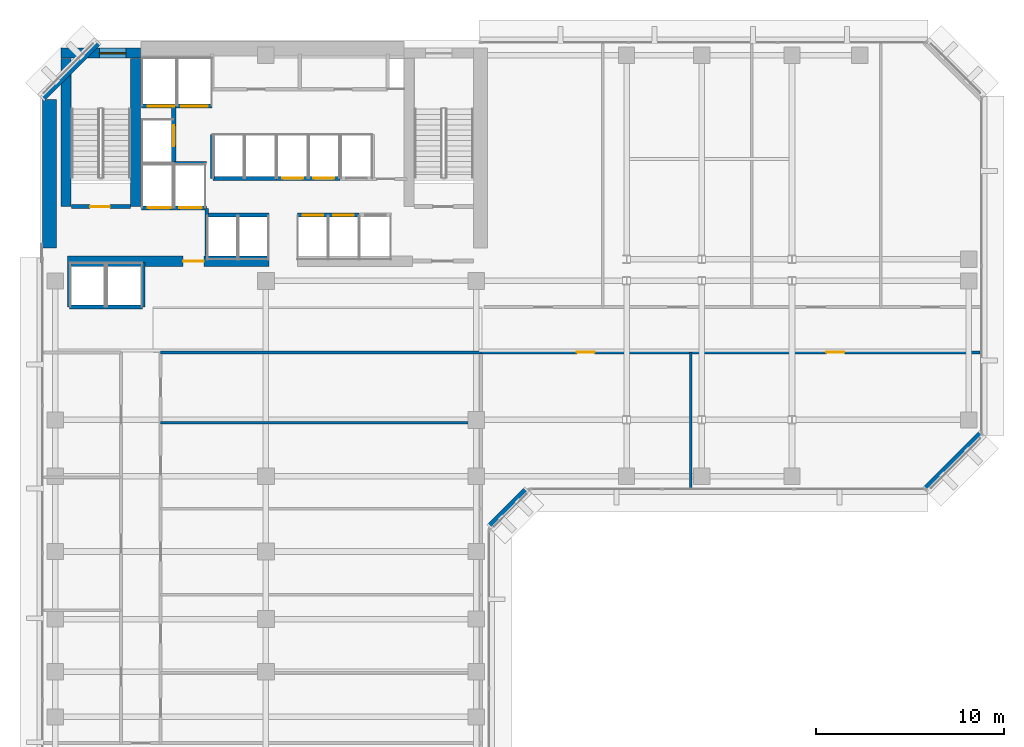
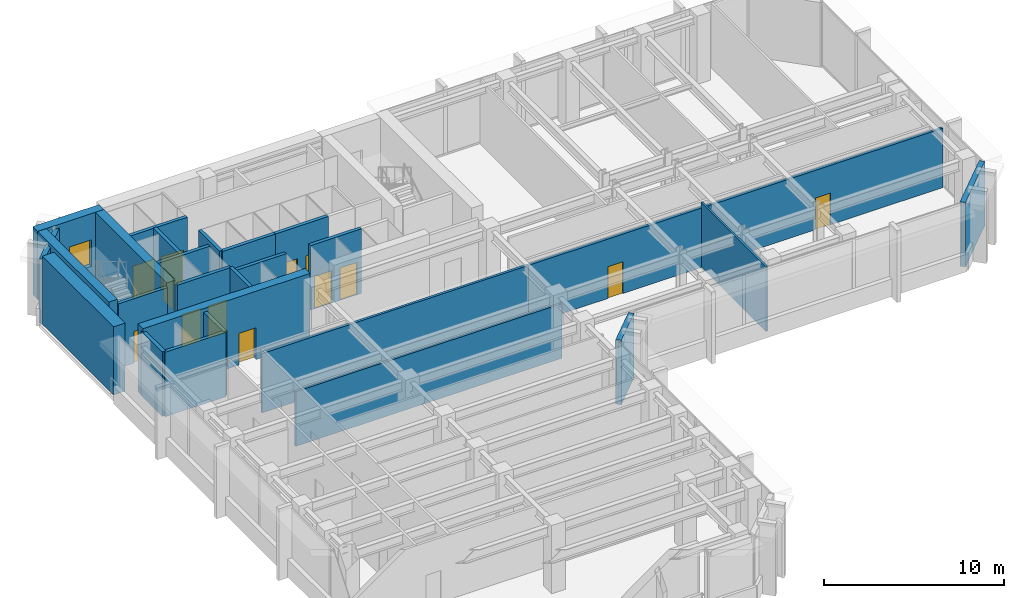
# One storey, part 7 of 13: 26 walls, 13 doors, 1 window, 14 openings.
"""IFC4 building model written with IfcOpenShell, lengths in metres."""

from ifc_helpers import new_model, si_unit, direction, frame, frame_2d, origin, place, context, subcontext, project, spatial, rectangle, extrude, material, layer, layer_set, type_object, element, fill, save


model = new_model("IFC4")

# Units and contexts
model_context = context("Model", 3, precision=1e-05, world=origin(), true_north=direction((0.0, 1.0)))
body_context = subcontext(model_context, "Body", "Model", "MODEL_VIEW")
ifc_project = project(units=[si_unit("LENGTHUNIT", "METRE"), si_unit("AREAUNIT", "SQUARE_METRE"), si_unit("VOLUMEUNIT", "CUBIC_METRE"), si_unit("PLANEANGLEUNIT", "RADIAN"), si_unit("MASSUNIT", "GRAM", prefix="KILO")], contexts=[model_context])

# Site, building, storey
site_placement = place(None, origin())
site = spatial("IfcSite", under=ifc_project, at=site_placement, CompositionType="ELEMENT")
building_placement = place(site_placement, origin())
building = spatial("IfcBuilding", under=site, at=building_placement, Name="Kefirva Bronze Tower", CompositionType="ELEMENT")
storey_placement = place(building_placement, frame((0.0, 0.0, 130.35009765625)))
storey = spatial("IfcBuildingStorey", under=building, at=storey_placement, Name="L31", CompositionType="ELEMENT", Elevation=130.35009765625)

# Walls
ifc_material_1 = material(Name="Gypsum acoustic partition")
ifc_layer_1 = layer(ifc_material_1, 0.1298828125, Name="Gypsum acoustic partition")
ifc_layer_set_1 = layer_set([ifc_layer_1], Name="Gypsum acoustic partition")
wall_type_1 = type_object("IfcWallType", Name="Acoustic Office Partition 130mm", PredefinedType="PARTITIONING", material=ifc_layer_set_1)
wall_1_placement = place(storey_placement, frame((6.39990234375, 25.656005859375, 0.0), z_axis=(0.0, 0.0, 1.0), x_axis=(1.0, 0.0, 0.0)))
element("IfcWall", 1, at=wall_1_placement, inside=storey, type_object=wall_type_1, Name="L31 Partition W-L31-SED4", PredefinedType="PARTITIONING", context=body_context, shape_type="SweptSolid", body=[
    extrude(rectangle(XDim=17.050048828125, YDim=0.1298828125, at=frame_2d((8.52490234375, 0.0))), origin(), (0.0, 0.0, 1.0), 3.704833984375),
])
wall_2_placement = place(storey_placement, frame((34.605224609375, 22.18994140625, 0.0), z_axis=(0.0, 0.0, 1.0), x_axis=(0.0, 1.0, 0.0)))
element("IfcWall", 2, at=wall_2_placement, inside=storey, type_object=wall_type_1, Name="L31 Partition W-L31-ESD1", PredefinedType="PARTITIONING", context=body_context, shape_type="SweptSolid", body=[
    extrude(rectangle(XDim=7.2099609375, YDim=0.1298828125, at=frame_2d((3.60498046875, 0.0))), origin(), (0.0, 0.0, 1.0), 4.369873046875),
])

# Wall, opening, door
ifc_material_2 = material(Name="Gypsum fireboard shaftwall")
ifc_layer_2 = layer(ifc_material_2, 0.219970703125, Name="Gypsum fireboard shaftwall")
ifc_layer_set_2 = layer_set([ifc_layer_2], Name="Gypsum fireboard shaftwall")
wall_type_2 = type_object("IfcWallType", Name="Fire-Rated Shaft Enclosure Wall 220mm", PredefinedType="PARTITIONING", material=ifc_layer_set_2)
wall_3_placement = place(storey_placement, frame((1.64990234375, 37.14990234375, 0.0), z_axis=(0.0, 0.0, 1.0), x_axis=(1.0, 0.0, 0.0)))
wall_3 = element("IfcWall", 3, at=wall_3_placement, inside=storey, type_object=wall_type_2, Name="L31 Partition W-L31-ST1S", PredefinedType="PARTITIONING", context=body_context, shape_type="SweptSolid", body=[
    extrude(rectangle(XDim=3.150146484375, YDim=0.219970703125, at=frame_2d((1.5751953125, 0.0))), origin(), (0.0, 0.0, 1.0), 4.369873046875),
])
opening_1_placement = place(wall_3_placement, frame((2.050048828125, 0.0, 0.0), z_axis=(0.0, 0.0, 1.0), x_axis=(-1.0, 0.0, 0.0)))
opening_1 = element("IfcOpeningElement", 4, at=opening_1_placement, cuts=wall_3, Name="Opening L31-D001", PredefinedType="OPENING", context=body_context, shape_type="SweptSolid", body=[
    extrude(rectangle(XDim=1.050048828125, YDim=2.14990234375, at=frame_2d((0.52490234375, 1.074951171875))), frame((0.0, 0.1201171875, 0.0), z_axis=(0.0, -1.0, 0.0), x_axis=(1.0, 0.0, 0.0)), (0.0, 0.0, 1.0), 0.239990234375),
])
ifc_material_3 = material(Name="Painted galvanized steel", Category="steel")
door_type_1 = type_object("IfcDoorType", Name="Fire Stair Enclosure Door 1050x2150 FD90S", OperationType="NOTDEFINED", PredefinedType="DOOR", material=ifc_material_3)
door_1_placement = place(opening_1_placement, origin())
door_1 = element("IfcDoor", 5, at=door_1_placement, inside=storey, type_object=door_type_1, Name="Door L31-D001", OperationType="SINGLE_SWING_LEFT", OverallHeight=2.14990234375, OverallWidth=1.050048828125, PredefinedType="DOOR", context=body_context, shape_type="SweptSolid", body=[
    extrude(rectangle(XDim=1.050048828125, YDim=2.14990234375, at=frame_2d((0.52490234375, 1.074951171875))), frame((0.0, 0.02490234375, 0.0), z_axis=(0.0, -1.0, 0.0), x_axis=(1.0, 0.0, 0.0)), (0.0, 0.0, 1.0), 0.050048828125),
])
fill(opening_1, door_1)

# Wall, openings, doors
wall_4_placement = place(storey_placement, frame((5.3798828125, 37.080078125, 0.0), z_axis=(0.0, 0.0, 1.0), x_axis=(1.0, 0.0, 0.0)))
wall_4 = element("IfcWall", 6, at=wall_4_placement, inside=storey, type_object=wall_type_2, Name="L31 Partition W-L31-FFS", PredefinedType="PARTITIONING", context=body_context, shape_type="SweptSolid", body=[
    extrude(rectangle(XDim=3.460205078125, YDim=0.219970703125, at=frame_2d((1.72998046875, 0.0))), origin(), (0.0, 0.0, 1.0), 4.369873046875),
])
opening_2_placement = place(wall_4_placement, frame((1.550048828125, 0.0, 0.0), z_axis=(0.0, 0.0, 1.0), x_axis=(-1.0, 0.0, 0.0)))
opening_2 = element("IfcOpeningElement", 7, at=opening_2_placement, cuts=wall_4, Name="Opening L31-LD-FF1", PredefinedType="OPENING", context=body_context, shape_type="SweptSolid", body=[
    extrude(rectangle(XDim=1.199951171875, YDim=2.199951171875, at=frame_2d((0.60009765625, 1.10009765625))), frame((0.0, 0.1201171875, 0.0), z_axis=(0.0, -1.0, 0.0), x_axis=(1.0, 0.0, 0.0)), (0.0, 0.0, 1.0), 0.239990234375),
])
opening_3_placement = place(wall_4_placement, frame((3.219970703125, 0.0, 0.0), z_axis=(0.0, 0.0, 1.0), x_axis=(-1.0, 0.0, 0.0)))
opening_3 = element("IfcOpeningElement", 8, at=opening_3_placement, cuts=wall_4, Name="Opening L31-LD-FF2", PredefinedType="OPENING", context=body_context, shape_type="SweptSolid", body=[
    extrude(rectangle(XDim=1.199951171875, YDim=2.199951171875, at=frame_2d((0.60009765625, 1.10009765625))), frame((0.0, 0.1201171875, 0.0), z_axis=(0.0, -1.0, 0.0), x_axis=(1.0, 0.0, 0.0)), (0.0, 0.0, 1.0), 0.239990234375),
])
ifc_material_4 = material(Name="Stainless steel 316", Category="steel")
door_type_2 = type_object("IfcDoorType", Name="Firefighting Lift Sliding Door 1200x2200", OperationType="SLIDING_TO_RIGHT", PredefinedType="DOOR", material=ifc_material_4)
door_2_placement = place(opening_2_placement, origin())
door_2 = element("IfcDoor", 9, at=door_2_placement, inside=storey, type_object=door_type_2, Name="Door L31-LD-FF1", OperationType="SLIDING_TO_RIGHT", OverallHeight=2.199951171875, OverallWidth=1.199951171875, PredefinedType="DOOR", context=body_context, shape_type="SweptSolid", body=[
    extrude(rectangle(XDim=1.199951171875, YDim=2.199951171875, at=frame_2d((0.60009765625, 1.10009765625))), frame((0.0, 0.02490234375, 0.0), z_axis=(0.0, -1.0, 0.0), x_axis=(1.0, 0.0, 0.0)), (0.0, 0.0, 1.0), 0.050048828125),
])
fill(opening_2, door_2)
door_3_placement = place(opening_3_placement, origin())
door_3 = element("IfcDoor", 10, at=door_3_placement, inside=storey, type_object=door_type_2, Name="Door L31-LD-FF2", OperationType="SLIDING_TO_RIGHT", OverallHeight=2.199951171875, OverallWidth=1.199951171875, PredefinedType="DOOR", context=body_context, shape_type="SweptSolid", body=[
    extrude(rectangle(XDim=1.199951171875, YDim=2.199951171875, at=frame_2d((0.60009765625, 1.10009765625))), frame((0.0, 0.02490234375, 0.0), z_axis=(0.0, -1.0, 0.0), x_axis=(1.0, 0.0, 0.0)), (0.0, 0.0, 1.0), 0.050048828125),
])
fill(opening_3, door_3)

# Wall
wall_5_placement = place(storey_placement, frame((5.3798828125, 39.449951171875, 0.0), z_axis=(0.0, 0.0, 1.0), x_axis=(1.0, 0.0, 0.0)))
element("IfcWall", 11, at=wall_5_placement, inside=storey, type_object=wall_type_2, Name="L31 Partition W-L31-FFN", PredefinedType="PARTITIONING", context=body_context, shape_type="SweptSolid", body=[
    extrude(rectangle(XDim=3.460205078125, YDim=0.219970703125, at=frame_2d((1.72998046875, 0.0))), origin(), (0.0, 0.0, 1.0), 4.369873046875),
])

# Wall, openings, doors
wall_6_placement = place(storey_placement, frame((5.3798828125, 42.5, 0.0), z_axis=(0.0, 0.0, 1.0), x_axis=(1.0, 0.0, 0.0)))
wall_6 = element("IfcWall", 12, at=wall_6_placement, inside=storey, type_object=wall_type_2, Name="L31 Partition W-L31-SVS", PredefinedType="PARTITIONING", context=body_context, shape_type="SweptSolid", body=[
    extrude(rectangle(XDim=3.77001953125, YDim=0.219970703125, at=frame_2d((1.885009765625, 0.0))), origin(), (0.0, 0.0, 1.0), 4.369873046875),
])
opening_4_placement = place(wall_6_placement, frame((1.75, 0.0, 0.0), z_axis=(0.0, 0.0, 1.0), x_axis=(-1.0, 0.0, 0.0)))
opening_4 = element("IfcOpeningElement", 13, at=opening_4_placement, cuts=wall_6, Name="Opening L31-LD-SV1", PredefinedType="OPENING", context=body_context, shape_type="SweptSolid", body=[
    extrude(rectangle(XDim=1.39990234375, YDim=2.199951171875, at=frame_2d((0.699951171875, 1.10009765625))), frame((0.0, 0.1201171875, 0.0), z_axis=(0.0, -1.0, 0.0), x_axis=(1.0, 0.0, 0.0)), (0.0, 0.0, 1.0), 0.239990234375),
])
opening_5_placement = place(wall_6_placement, frame((3.52978515625, 0.0, 0.0), z_axis=(0.0, 0.0, 1.0), x_axis=(-1.0, 0.0, 0.0)))
opening_5 = element("IfcOpeningElement", 14, at=opening_5_placement, cuts=wall_6, Name="Opening L31-LD-SV2", PredefinedType="OPENING", context=body_context, shape_type="SweptSolid", body=[
    extrude(rectangle(XDim=1.39990234375, YDim=2.199951171875, at=frame_2d((0.699951171875, 1.10009765625))), frame((0.0, 0.1201171875, 0.0), z_axis=(0.0, -1.0, 0.0), x_axis=(1.0, 0.0, 0.0)), (0.0, 0.0, 1.0), 0.239990234375),
])
door_type_3 = type_object("IfcDoorType", Name="Goods Lift Bi-Parting Sliding Door 1400x2200", OperationType="SLIDING_TO_LEFT", PredefinedType="DOOR", material=ifc_material_4)
door_4_placement = place(opening_4_placement, origin())
door_4 = element("IfcDoor", 15, at=door_4_placement, inside=storey, type_object=door_type_3, Name="Door L31-LD-SV1", OperationType="SLIDING_TO_LEFT", OverallHeight=2.199951171875, OverallWidth=1.39990234375, PredefinedType="DOOR", context=body_context, shape_type="SweptSolid", body=[
    extrude(rectangle(XDim=1.39990234375, YDim=2.199951171875, at=frame_2d((0.699951171875, 1.10009765625))), frame((0.0, 0.02490234375, 0.0), z_axis=(0.0, -1.0, 0.0), x_axis=(1.0, 0.0, 0.0)), (0.0, 0.0, 1.0), 0.050048828125),
])
fill(opening_4, door_4)
door_5_placement = place(opening_5_placement, origin())
door_5 = element("IfcDoor", 16, at=door_5_placement, inside=storey, type_object=door_type_3, Name="Door L31-LD-SV2", OperationType="SLIDING_TO_LEFT", OverallHeight=2.199951171875, OverallWidth=1.39990234375, PredefinedType="DOOR", context=body_context, shape_type="SweptSolid", body=[
    extrude(rectangle(XDim=1.39990234375, YDim=2.199951171875, at=frame_2d((0.699951171875, 1.10009765625))), frame((0.0, 0.02490234375, 0.0), z_axis=(0.0, -1.0, 0.0), x_axis=(1.0, 0.0, 0.0)), (0.0, 0.0, 1.0), 0.050048828125),
])
fill(opening_5, door_5)

# Wall, opening, door
wall_7_placement = place(storey_placement, frame((7.10009765625, 39.52001953125, 0.0), z_axis=(0.0, 0.0, 1.0), x_axis=(0.0, 1.0, 0.0)))
wall_7 = element("IfcWall", 17, at=wall_7_placement, inside=storey, type_object=wall_type_2, Name="L31 Partition W-L31-HP3E", PredefinedType="PARTITIONING", context=body_context, shape_type="SweptSolid", body=[
    extrude(rectangle(XDim=2.929931640625, YDim=0.219970703125, at=frame_2d((1.46484375, 0.0))), origin(), (0.0, 0.0, 1.0), 4.369873046875),
])
opening_6_placement = place(wall_7_placement, frame((0.85009765625, 0.0, 0.0)))
opening_6 = element("IfcOpeningElement", 18, at=opening_6_placement, cuts=wall_7, Name="Opening L31-LD-HP3", PredefinedType="OPENING", context=body_context, shape_type="SweptSolid", body=[
    extrude(rectangle(XDim=1.10009765625, YDim=2.199951171875, at=frame_2d((0.550048828125, 1.10009765625))), frame((0.0, 0.1201171875, 0.0), z_axis=(0.0, -1.0, 0.0), x_axis=(1.0, 0.0, 0.0)), (0.0, 0.0, 1.0), 0.239990234375),
])
door_type_4 = type_object("IfcDoorType", Name="Passenger Lift Sliding Landing Door 1100x2200", OperationType="SLIDING_TO_LEFT", PredefinedType="DOOR", material=ifc_material_4)
door_6_placement = place(opening_6_placement, origin())
door_6 = element("IfcDoor", 19, at=door_6_placement, inside=storey, type_object=door_type_4, Name="Door L31-LD-HP3", OperationType="SLIDING_TO_LEFT", OverallHeight=2.199951171875, OverallWidth=1.10009765625, PredefinedType="DOOR", context=body_context, shape_type="SweptSolid", body=[
    extrude(rectangle(XDim=1.10009765625, YDim=2.199951171875, at=frame_2d((0.550048828125, 1.10009765625))), frame((0.0, 0.02490234375, 0.0), z_axis=(0.0, -1.0, 0.0), x_axis=(1.0, 0.0, 0.0)), (0.0, 0.0, 1.0), 0.050048828125),
])
fill(opening_6, door_6)

# Walls
wall_8_placement = place(storey_placement, frame((1.550048828125, 31.800048828125, 0.0), z_axis=(0.0, 0.0, 1.0), x_axis=(1.0, 0.0, 0.0)))
element("IfcWall", 20, at=wall_8_placement, inside=storey, type_object=wall_type_2, Name="L31 Partition W-L31-OBS", PredefinedType="PARTITIONING", context=body_context, shape_type="SweptSolid", body=[
    extrude(rectangle(XDim=3.89990234375, YDim=0.219970703125, at=frame_2d((1.949951171875, 0.0))), origin(), (0.0, 0.0, 1.0), 4.369873046875),
])
for number, where, z_axis, x_axis, name in (
    (21, (1.550048828125, 31.800048828125, 0.0), (0.0, 0.0, 1.0), (0.0, 1.0, 0.0), "L31 Partition W-L31-OBW"),
    (22, (5.449951171875, 31.800048828125, 0.0), (0.0, 0.0, 1.0), (0.0, 1.0, 0.0), "L31 Partition W-L31-OBE"),
):
    element("IfcWall", number, at=place(storey_placement, frame(where, z_axis=z_axis, x_axis=x_axis)), inside=storey, type_object=wall_type_2, Name=name, PredefinedType="PARTITIONING", context=body_context, shape_type="SweptSolid", body=[
        extrude(rectangle(XDim=2.3798828125, YDim=0.219970703125, at=frame_2d((1.18994140625, 0.0))), origin(), (0.0, 0.0, 1.0), 4.369873046875),
    ])
wall_9_placement = place(storey_placement, frame((9.159912109375, 38.64990234375, 0.0), z_axis=(0.0, 0.0, 1.0), x_axis=(0.0, 1.0, 0.0)))
element("IfcWall", 23, at=wall_9_placement, inside=storey, type_object=wall_type_2, Name="L31 Partition W-L31-LP3W", PredefinedType="PARTITIONING", context=body_context, shape_type="SweptSolid", body=[
    extrude(rectangle(XDim=2.35009765625, YDim=0.199951171875, at=frame_2d((1.175048828125, 0.0))), origin(), (0.0, 0.0, 1.0), 4.369873046875),
])
wall_10_placement = place(storey_placement, frame((8.89990234375, 36.699951171875, 0.0), z_axis=(0.0, 0.0, 1.0), x_axis=(1.0, 0.0, 0.0)))
element("IfcWall", 24, at=wall_10_placement, inside=storey, type_object=wall_type_2, Name="L31 Partition W-L31-LPS", PredefinedType="PARTITIONING", context=body_context, shape_type="SweptSolid", body=[
    extrude(rectangle(XDim=3.260009765625, YDim=0.219970703125, at=frame_2d((1.6298828125, 0.0))), origin(), (0.0, 0.0, 1.0), 4.369873046875),
])
wall_11_placement = place(storey_placement, frame((9.179931640625, 38.64990234375, 0.0), z_axis=(0.0, 0.0, 1.0), x_axis=(1.0, 0.0, 0.0)))
element("IfcWall", 25, at=wall_11_placement, inside=storey, type_object=wall_type_2, Name="L31 Partition W-L31-LPN", PredefinedType="PARTITIONING", context=body_context, shape_type="SweptSolid", body=[
    extrude(rectangle(XDim=3.380126953125, YDim=0.219970703125, at=frame_2d((1.68994140625, 0.0))), origin(), (0.0, 0.0, 1.0), 4.369873046875),
])

# Wall, openings, doors
wall_12_placement = place(storey_placement, frame((13.679931640625, 36.699951171875, 0.0), z_axis=(0.0, 0.0, 1.0), x_axis=(1.0, 0.0, 0.0)))
wall_12 = element("IfcWall", 26, at=wall_12_placement, inside=storey, type_object=wall_type_2, Name="L31 Partition W-L31-MPS", PredefinedType="PARTITIONING", context=body_context, shape_type="SweptSolid", body=[
    extrude(rectangle(XDim=3.280029296875, YDim=0.219970703125, at=frame_2d((1.64013671875, 0.0))), origin(), (0.0, 0.0, 1.0), 4.369873046875),
])
opening_7_placement = place(wall_12_placement, frame((0.280029296875, 0.0, 0.0)))
opening_7 = element("IfcOpeningElement", 27, at=opening_7_placement, cuts=wall_12, Name="Opening L31-LD-MP1", PredefinedType="OPENING", context=body_context, shape_type="SweptSolid", body=[
    extrude(rectangle(XDim=1.10009765625, YDim=2.199951171875, at=frame_2d((0.550048828125, 1.10009765625))), frame((0.0, 0.1201171875, 0.0), z_axis=(0.0, -1.0, 0.0), x_axis=(1.0, 0.0, 0.0)), (0.0, 0.0, 1.0), 0.239990234375),
])
opening_8_placement = place(wall_12_placement, frame((1.89990234375, 0.0, 0.0)))
opening_8 = element("IfcOpeningElement", 28, at=opening_8_placement, cuts=wall_12, Name="Opening L31-LD-MP2", PredefinedType="OPENING", context=body_context, shape_type="SweptSolid", body=[
    extrude(rectangle(XDim=1.10009765625, YDim=2.199951171875, at=frame_2d((0.550048828125, 1.10009765625))), frame((0.0, 0.1201171875, 0.0), z_axis=(0.0, -1.0, 0.0), x_axis=(1.0, 0.0, 0.0)), (0.0, 0.0, 1.0), 0.239990234375),
])
door_7_placement = place(opening_7_placement, origin())
door_7 = element("IfcDoor", 29, at=door_7_placement, inside=storey, type_object=door_type_4, Name="Door L31-LD-MP1", OperationType="SLIDING_TO_RIGHT", OverallHeight=2.199951171875, OverallWidth=1.10009765625, PredefinedType="DOOR", context=body_context, shape_type="SweptSolid", body=[
    extrude(rectangle(XDim=1.10009765625, YDim=2.199951171875, at=frame_2d((0.550048828125, 1.10009765625))), frame((0.0, 0.02490234375, 0.0), z_axis=(0.0, -1.0, 0.0), x_axis=(1.0, 0.0, 0.0)), (0.0, 0.0, 1.0), 0.050048828125),
])
fill(opening_7, door_7)
door_8_placement = place(opening_8_placement, origin())
door_8 = element("IfcDoor", 30, at=door_8_placement, inside=storey, type_object=door_type_4, Name="Door L31-LD-MP2", OperationType="SLIDING_TO_RIGHT", OverallHeight=2.199951171875, OverallWidth=1.10009765625, PredefinedType="DOOR", context=body_context, shape_type="SweptSolid", body=[
    extrude(rectangle(XDim=1.10009765625, YDim=2.199951171875, at=frame_2d((0.550048828125, 1.10009765625))), frame((0.0, 0.02490234375, 0.0), z_axis=(0.0, -1.0, 0.0), x_axis=(1.0, 0.0, 0.0)), (0.0, 0.0, 1.0), 0.050048828125),
])
fill(opening_8, door_8)

wall_13_placement = place(storey_placement, frame((12.580078125, 38.64990234375, 0.0), z_axis=(0.0, 0.0, 1.0), x_axis=(1.0, 0.0, 0.0)))
wall_13 = element("IfcWall", 31, at=wall_13_placement, inside=storey, type_object=wall_type_2, Name="L31 Partition W-L31-MPN", PredefinedType="PARTITIONING", context=body_context, shape_type="SweptSolid", body=[
    extrude(rectangle(XDim=3.3798828125, YDim=0.219970703125, at=frame_2d((1.68994140625, 0.0))), origin(), (0.0, 0.0, 1.0), 4.369873046875),
])
opening_9_placement = place(wall_13_placement, frame((0.300048828125, 0.0, 0.0)))
opening_9 = element("IfcOpeningElement", 32, at=opening_9_placement, cuts=wall_13, Name="Opening L31-LD-MP3", PredefinedType="OPENING", context=body_context, shape_type="SweptSolid", body=[
    extrude(rectangle(XDim=1.10009765625, YDim=2.199951171875, at=frame_2d((0.550048828125, 1.10009765625))), frame((0.0, 0.1201171875, 0.0), z_axis=(0.0, -1.0, 0.0), x_axis=(1.0, 0.0, 0.0)), (0.0, 0.0, 1.0), 0.239990234375),
])
opening_10_placement = place(wall_13_placement, frame((1.949951171875, 0.0, 0.0)))
opening_10 = element("IfcOpeningElement", 33, at=opening_10_placement, cuts=wall_13, Name="Opening L31-LD-MP4", PredefinedType="OPENING", context=body_context, shape_type="SweptSolid", body=[
    extrude(rectangle(XDim=1.10009765625, YDim=2.199951171875, at=frame_2d((0.550048828125, 1.10009765625))), frame((0.0, 0.1201171875, 0.0), z_axis=(0.0, -1.0, 0.0), x_axis=(1.0, 0.0, 0.0)), (0.0, 0.0, 1.0), 0.239990234375),
])
door_9_placement = place(opening_9_placement, origin())
door_9 = element("IfcDoor", 34, at=door_9_placement, inside=storey, type_object=door_type_4, Name="Door L31-LD-MP3", OperationType="SLIDING_TO_RIGHT", OverallHeight=2.199951171875, OverallWidth=1.10009765625, PredefinedType="DOOR", context=body_context, shape_type="SweptSolid", body=[
    extrude(rectangle(XDim=1.10009765625, YDim=2.199951171875, at=frame_2d((0.550048828125, 1.10009765625))), frame((0.0, 0.02490234375, 0.0), z_axis=(0.0, -1.0, 0.0), x_axis=(1.0, 0.0, 0.0)), (0.0, 0.0, 1.0), 0.050048828125),
])
fill(opening_9, door_9)
door_10_placement = place(opening_10_placement, origin())
door_10 = element("IfcDoor", 35, at=door_10_placement, inside=storey, type_object=door_type_4, Name="Door L31-LD-MP4", OperationType="SLIDING_TO_RIGHT", OverallHeight=2.199951171875, OverallWidth=1.10009765625, PredefinedType="DOOR", context=body_context, shape_type="SweptSolid", body=[
    extrude(rectangle(XDim=1.10009765625, YDim=2.199951171875, at=frame_2d((0.550048828125, 1.10009765625))), frame((0.0, 0.02490234375, 0.0), z_axis=(0.0, -1.0, 0.0), x_axis=(1.0, 0.0, 0.0)), (0.0, 0.0, 1.0), 0.050048828125),
])
fill(opening_10, door_10)

# Walls
ifc_material_5 = material(Name="Gypsum fireboard barrier")
ifc_layer_3 = layer(ifc_material_5, 0.199951171875, Name="Gypsum fireboard barrier")
ifc_layer_set_3 = layer_set([ifc_layer_3], Name="Gypsum fireboard barrier")
wall_type_3 = type_object("IfcWallType", Name="Firefighting Lobby Barrier Wall 200mm", PredefinedType="PARTITIONING", material=ifc_layer_set_3)
wall_14_placement = place(storey_placement, frame((8.860107421875, 34.550048828125, 0.0), z_axis=(0.0, 0.0, 1.0), x_axis=(0.0, 1.0, 0.0)))
element("IfcWall", 36, at=wall_14_placement, inside=storey, type_object=wall_type_3, Name="L31 Partition W-L31-FFLE", PredefinedType="PARTITIONING", context=body_context, shape_type="SweptSolid", body=[
    extrude(rectangle(XDim=2.5, YDim=0.199951171875, at=frame_2d((1.25, 0.0))), origin(), (0.0, 0.0, 1.0), 4.369873046875),
])
ifc_material_6 = material(Name="Precast concrete C40/50", Category="concrete")
ifc_layer_4 = layer(ifc_material_6, 0.320068359375, Name="Precast concrete C40/50")
ifc_layer_set_4 = layer_set([ifc_layer_4], Name="Precast concrete C40/50")
wall_type_4 = type_object("IfcWallType", Name="Precast Insulated Exterior Wall 320mm", PredefinedType="SOLIDWALL", material=ifc_layer_set_4)
wall_15_placement = place(storey_placement, frame((23.92578125, 20.152099609375, 0.0), z_axis=(0.0, 0.0, 1.0), x_axis=(0.707106781187, 0.707106781187, 0.0)))
element("IfcWall", 37, at=wall_15_placement, inside=storey, type_object=wall_type_4, Name="L31 Exterior Facade Wall 5", PredefinedType="SOLIDWALL", context=body_context, shape_type="SweptSolid", body=[
    extrude(rectangle(XDim=2.71826171875, YDim=0.320068359375, at=frame_2d((1.359130859375, 0.0))), origin(), (0.0, 0.0, 1.0), 4.369873046875),
])
for number, where, z_axis, x_axis, name in (
    (38, (47.125732421875, 22.152099609375, 0.0), (0.0, 0.0, 1.0), (0.707136318428, 0.707077242712, 0.0), "L31 Exterior Facade Wall 6"),
    (39, (3.07421875, 45.847900390625, 0.0), (0.0, 0.0, 1.0), (-0.707106781187, -0.707106781187, 0.0), "L31 Exterior Facade Wall 8"),
):
    element("IfcWall", number, at=place(storey_placement, frame(where, z_axis=z_axis, x_axis=x_axis)), inside=storey, type_object=wall_type_4, Name=name, PredefinedType="SOLIDWALL", context=body_context, shape_type="SweptSolid", body=[
        extrude(rectangle(XDim=4.132568359375, YDim=0.320068359375, at=frame_2d((2.06640625, 0.0))), origin(), (0.0, 0.0, 1.0), 4.369873046875),
    ])
ifc_layer_5 = layer(ifc_material_1, 0.159912109375, Name="Gypsum acoustic partition")
ifc_layer_set_5 = layer_set([ifc_layer_5], Name="Gypsum acoustic partition")
wall_type_5 = type_object("IfcWallType", Name="Protected Corridor Partition 160mm", PredefinedType="PARTITIONING", material=ifc_layer_set_5)
wall_16_placement = place(storey_placement, frame((6.39990234375, 29.39990234375, 0.0), z_axis=(0.0, 0.0, 1.0), x_axis=(1.0, 0.0, 0.0)))
element("IfcWall", 40, at=wall_16_placement, inside=storey, type_object=wall_type_5, Name="L31 Partition W-L31-NET", PredefinedType="PARTITIONING", context=body_context, shape_type="SweptSolid", body=[
    extrude(rectangle(XDim=17.050048828125, YDim=0.159912109375, at=frame_2d((8.52490234375, 0.0))), origin(), (0.0, 0.0, 1.0), 4.02490234375),
])

# Wall, openings, doors
wall_17_placement = place(storey_placement, frame((23.449951171875, 29.39990234375, 0.0), z_axis=(0.0, 0.0, 1.0), x_axis=(1.0, 0.0, 0.0)))
wall_17 = element("IfcWall", 41, at=wall_17_placement, inside=storey, type_object=wall_type_5, Name="L31 Partition W-L31-EWS", PredefinedType="PARTITIONING", context=body_context, shape_type="SweptSolid", body=[
    extrude(rectangle(XDim=26.56005859375, YDim=0.159912109375, at=frame_2d((13.280029296875, 0.0))), origin(), (0.0, 0.0, 1.0), 4.02490234375),
])
opening_11_placement = place(wall_17_placement, frame((6.052490234375, 0.0, 0.0), z_axis=(0.0, 0.0, 1.0), x_axis=(-1.0, 0.0, 0.0)))
opening_11 = element("IfcOpeningElement", 42, at=opening_11_placement, cuts=wall_17, Name="Opening L31-D-ES1", PredefinedType="OPENING", context=body_context, shape_type="SweptSolid", body=[
    extrude(rectangle(XDim=0.949951171875, YDim=2.14990234375, at=frame_2d((0.47509765625, 1.074951171875))), frame((0.0, 0.08984375, 0.0), z_axis=(0.0, -1.0, 0.0), x_axis=(1.0, 0.0, 0.0)), (0.0, 0.0, 1.0), 0.179931640625),
])
opening_12_placement = place(wall_17_placement, frame((19.33251953125, 0.0, 0.0), z_axis=(0.0, 0.0, 1.0), x_axis=(-1.0, 0.0, 0.0)))
opening_12 = element("IfcOpeningElement", 43, at=opening_12_placement, cuts=wall_17, Name="Opening L31-D-ES2", PredefinedType="OPENING", context=body_context, shape_type="SweptSolid", body=[
    extrude(rectangle(XDim=0.949951171875, YDim=2.14990234375, at=frame_2d((0.47509765625, 1.074951171875))), frame((0.0, 0.08984375, 0.0), z_axis=(0.0, -1.0, 0.0), x_axis=(1.0, 0.0, 0.0)), (0.0, 0.0, 1.0), 0.179931640625),
])
ifc_material_7 = material(Name="Acoustic hardwood oak", Category="wood")
door_type_5 = type_object("IfcDoorType", Name="Office & Meeting Room Door 950x2150", OperationType="NOTDEFINED", PredefinedType="DOOR", material=ifc_material_7)
door_11_placement = place(opening_11_placement, origin())
door_11 = element("IfcDoor", 44, at=door_11_placement, inside=storey, type_object=door_type_5, Name="Door L31-D-ES1", OperationType="SINGLE_SWING_LEFT", OverallHeight=2.14990234375, OverallWidth=0.949951171875, PredefinedType="DOOR", context=body_context, shape_type="SweptSolid", body=[
    extrude(rectangle(XDim=0.949951171875, YDim=2.14990234375, at=frame_2d((0.47509765625, 1.074951171875))), frame((0.0, 0.02490234375, 0.0), z_axis=(0.0, -1.0, 0.0), x_axis=(1.0, 0.0, 0.0)), (0.0, 0.0, 1.0), 0.050048828125),
])
fill(opening_11, door_11)
door_12_placement = place(opening_12_placement, origin())
door_12 = element("IfcDoor", 45, at=door_12_placement, inside=storey, type_object=door_type_5, Name="Door L31-D-ES2", OperationType="SINGLE_SWING_RIGHT", OverallHeight=2.14990234375, OverallWidth=0.949951171875, PredefinedType="DOOR", context=body_context, shape_type="SweptSolid", body=[
    extrude(rectangle(XDim=0.949951171875, YDim=2.14990234375, at=frame_2d((0.47509765625, 1.074951171875))), frame((0.0, 0.02490234375, 0.0), z_axis=(0.0, -1.0, 0.0), x_axis=(1.0, 0.0, 0.0)), (0.0, 0.0, 1.0), 0.050048828125),
])
fill(opening_12, door_12)

# Wall, opening, window
ifc_material_8 = material(Name="Concrete C50/60", Category="concrete")
ifc_layer_6 = layer(ifc_material_8, 0.550048828125, Name="Concrete C50/60")
ifc_layer_set_6 = layer_set([ifc_layer_6], Name="Concrete C50/60")
wall_type_6 = type_object("IfcWallType", Name="RC Rear Core Exterior Wall 550mm", PredefinedType="SHEAR", material=ifc_layer_set_6)
wall_18_placement = place(storey_placement, frame((1.10009765625, 45.320068359375, 0.0), z_axis=(0.0, 0.0, 1.0), x_axis=(1.0, 0.0, 0.0)))
wall_18 = element("IfcWall", 46, at=wall_18_placement, inside=storey, type_object=wall_type_6, Name="L31 Stair 1 North Shear Wall", PredefinedType="SHEAR", context=body_context, shape_type="SweptSolid", body=[
    extrude(rectangle(XDim=4.239990234375, YDim=0.550048828125, at=frame_2d((2.1201171875, 0.0))), origin(), (0.0, 0.0, 1.0), 4.619873046875),
])
opening_13_placement = place(wall_18_placement, frame((2.050048828125, 0.0, 1.050048828125)))
opening_13 = element("IfcOpeningElement", 47, at=opening_13_placement, cuts=wall_18, Name="Opening WN-03", PredefinedType="OPENING", context=body_context, shape_type="SweptSolid", body=[
    extrude(rectangle(XDim=1.39990234375, YDim=1.800048828125, at=frame_2d((0.699951171875, 0.89990234375))), frame((0.0, 0.28515625, 0.0), z_axis=(0.0, -1.0, 0.0), x_axis=(1.0, 0.0, 0.0)), (0.0, 0.0, 1.0), 0.570068359375),
])
ifc_material_9 = material(Name="Laminated low-E double glazing", Category="glass")
window_type = type_object("IfcWindowType", Name="Rear-Core Stair Daylight Window 1400x1800", PartitioningType="SINGLE_PANEL", PredefinedType="WINDOW", material=ifc_material_9)
window_placement = place(opening_13_placement, origin())
window = element("IfcWindow", 48, at=window_placement, inside=storey, type_object=window_type, Name="L31 Stair 1 Daylight Window", OverallHeight=1.800048828125, OverallWidth=1.39990234375, PartitioningType="SINGLE_PANEL", PredefinedType="WINDOW", context=body_context, shape_type="SweptSolid", body=[
    extrude(rectangle(XDim=1.39990234375, YDim=1.800048828125, at=frame_2d((0.699951171875, 0.89990234375))), frame((0.0, 0.030029296875, 0.0), z_axis=(0.0, -1.0, 0.0), x_axis=(1.0, 0.0, 0.0)), (0.0, 0.0, 1.0), 0.06005859375),
])
fill(opening_13, window)

# Walls
ifc_material_10 = material(Name="Concrete C60/75", Category="concrete")
ifc_layer_7 = layer(ifc_material_10, 0.75, Name="Concrete C60/75")
ifc_layer_set_7 = layer_set([ifc_layer_7], Name="Concrete C60/75")
wall_type_7 = type_object("IfcWallType", Name="RC Rear Core Exterior Wall 750mm", PredefinedType="SHEAR", material=ifc_layer_set_7)
wall_19_placement = place(storey_placement, frame((0.5, 34.949951171875, 0.0), z_axis=(0.0, 0.0, 1.0), x_axis=(0.0, 1.0, 0.0)))
element("IfcWall", 49, at=wall_19_placement, inside=storey, type_object=wall_type_7, Name="L31 Rear Core West Shear Wall", PredefinedType="SHEAR", context=body_context, shape_type="SweptSolid", body=[
    extrude(rectangle(XDim=7.900146484375, YDim=0.75, at=frame_2d((3.9501953125, 0.0))), origin(), (0.0, 0.0, 1.0), 4.619873046875),
])
ifc_layer_8 = layer(ifc_material_8, 0.550048828125, Name="Concrete C50/60")
ifc_layer_set_8 = layer_set([ifc_layer_8], Name="Concrete C50/60")
wall_type_8 = type_object("IfcWallType", Name="RC Rear Core Interior Wall 550mm", PredefinedType="SHEAR", material=ifc_layer_set_8)
for number, where, z_axis, x_axis, name in (
    (50, (1.3701171875, 37.14990234375, 0.0), (0.0, 0.0, 1.0), (0.0, 1.0, 0.0), "L31 Stair 1 West Shear Wall"),
    (51, (5.070068359375, 37.14990234375, 0.0), (0.0, 0.0, 1.0), (0.0, 1.0, 0.0), "L31 Stair 1 East Shear Wall"),
):
    element("IfcWall", number, at=place(storey_placement, frame(where, z_axis=z_axis, x_axis=x_axis)), inside=storey, type_object=wall_type_8, Name=name, PredefinedType="SHEAR", context=body_context, shape_type="SweptSolid", body=[
        extrude(rectangle(XDim=7.89013671875, YDim=0.550048828125, at=frame_2d((3.945068359375, 0.0))), origin(), (0.0, 0.0, 1.0), 4.619873046875),
    ])

# Wall, opening, door
ifc_layer_9 = layer(ifc_material_10, 0.75, Name="Concrete C60/75")
ifc_layer_set_9 = layer_set([ifc_layer_9], Name="Concrete C60/75")
wall_type_9 = type_object("IfcWallType", Name="RC Rear Core Interior Wall 750mm", PredefinedType="SHEAR", material=ifc_layer_set_9)
wall_20_placement = place(storey_placement, frame((1.449951171875, 34.25, 0.0), z_axis=(0.0, 0.0, 1.0), x_axis=(1.0, 0.0, 0.0)))
wall_20 = element("IfcWall", 52, at=wall_20_placement, inside=storey, type_object=wall_type_9, Name="L31 Rear Core South-West Shear Wall", PredefinedType="SHEAR", context=body_context, shape_type="SweptSolid", body=[
    extrude(rectangle(XDim=10.7099609375, YDim=0.550048828125, at=frame_2d((5.35498046875, 0.0))), origin(), (0.0, 0.0, 1.0), 4.619873046875),
])
opening_14_placement = place(wall_20_placement, frame((7.25, 0.0, 0.0), z_axis=(0.0, 0.0, 1.0), x_axis=(-1.0, 0.0, 0.0)))
opening_14 = element("IfcOpeningElement", 53, at=opening_14_placement, cuts=wall_20, Name="Opening L31-D002", PredefinedType="OPENING", context=body_context, shape_type="SweptSolid", body=[
    extrude(rectangle(XDim=1.10009765625, YDim=2.14990234375, at=frame_2d((0.550048828125, 1.074951171875))), frame((0.0, 0.28515625, 0.0), z_axis=(0.0, -1.0, 0.0), x_axis=(1.0, 0.0, 0.0)), (0.0, 0.0, 1.0), 0.570068359375),
])
door_type_6 = type_object("IfcDoorType", Name="Firefighting Lobby Smoke Door 1100x2150 FD60S", OperationType="NOTDEFINED", PredefinedType="DOOR", material=ifc_material_3)
door_13_placement = place(opening_14_placement, origin())
door_13 = element("IfcDoor", 54, at=door_13_placement, inside=storey, type_object=door_type_6, Name="Door L31-D002", OperationType="SINGLE_SWING_RIGHT", OverallHeight=2.14990234375, OverallWidth=1.10009765625, PredefinedType="DOOR", context=body_context, shape_type="SweptSolid", body=[
    extrude(rectangle(XDim=1.10009765625, YDim=2.14990234375, at=frame_2d((0.550048828125, 1.074951171875))), frame((0.0, 0.02490234375, 0.0), z_axis=(0.0, -1.0, 0.0), x_axis=(1.0, 0.0, 0.0)), (0.0, 0.0, 1.0), 0.050048828125),
])
fill(opening_14, door_13)

save(model, "model.ifc")
